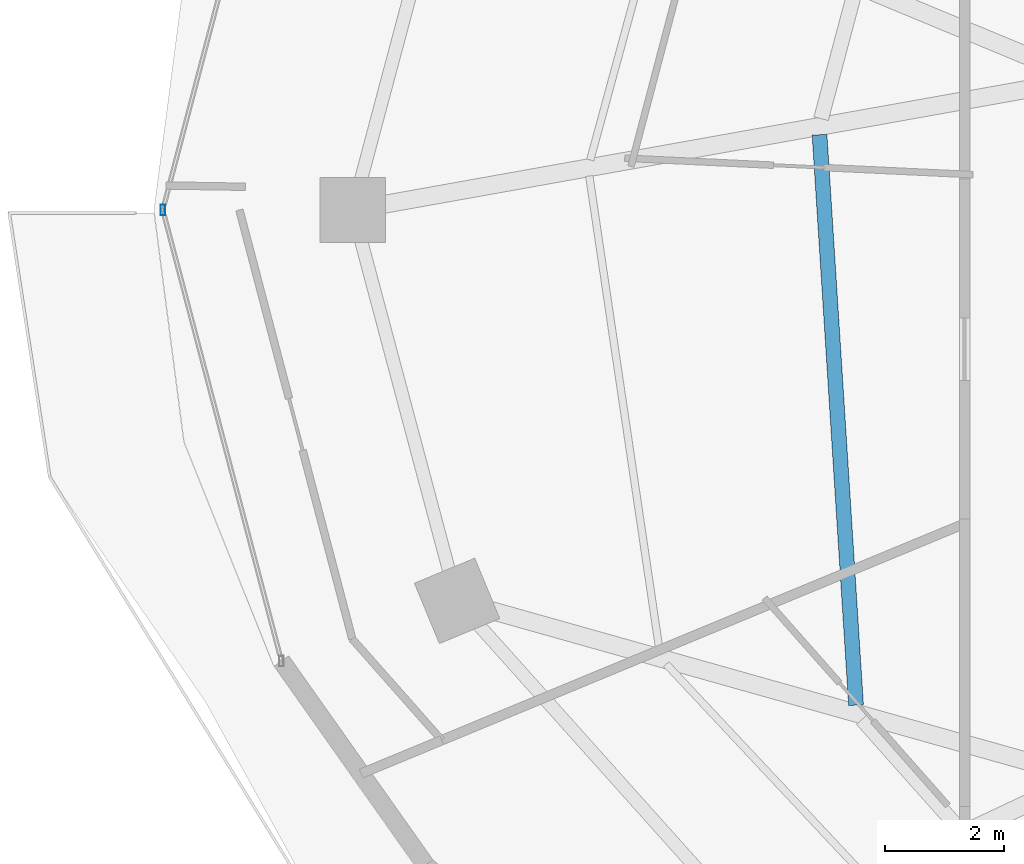
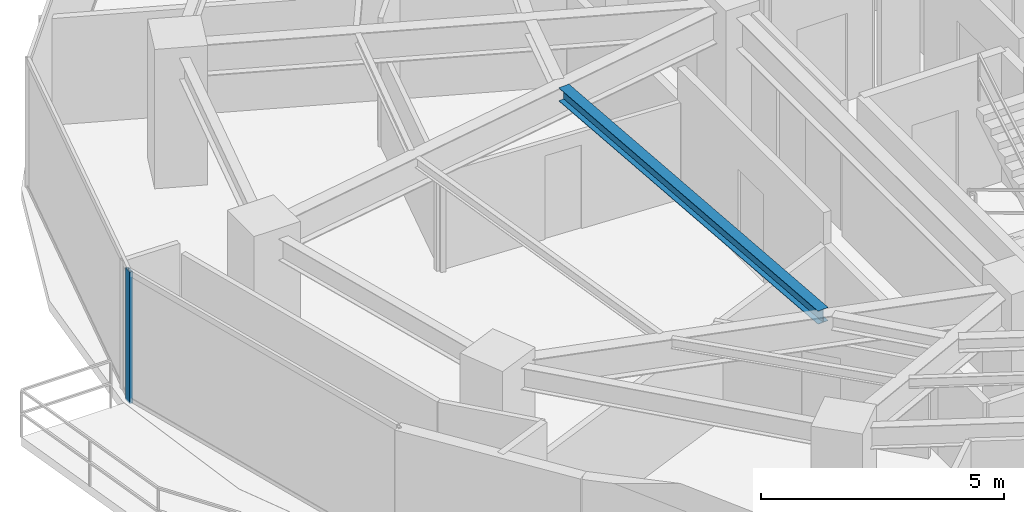
# One storey, part 7 of 31: 1 beam, 1 member, 1 element without a shape of its own.
"""IFC4 building model written with IfcOpenShell, lengths in metres."""

from ifc_helpers import new_model, si_unit, direction, frame, origin, origin_2d, place, context, subcontext, project, spatial, hollow_rectangle, i_section, extrude, material, material_profile, profile_set, type_object, element, aggregate, save


model = new_model("IFC4")

# Units and contexts
model_context = context("Model", 3, precision=1e-05, world=origin(), true_north=direction((0.0, 1.0)))
body_context = subcontext(model_context, "Body", "Model", "MODEL_VIEW")
ifc_project = project(units=[si_unit("LENGTHUNIT", "METRE"), si_unit("AREAUNIT", "SQUARE_METRE"), si_unit("VOLUMEUNIT", "CUBIC_METRE"), si_unit("PLANEANGLEUNIT", "RADIAN"), si_unit("MASSUNIT", "GRAM", prefix="KILO")], contexts=[model_context])

# Site, building, storey
site_placement = place(None, origin())
site = spatial("IfcSite", under=ifc_project, at=site_placement, CompositionType="ELEMENT")
building_placement = place(site_placement, origin())
building = spatial("IfcBuilding", under=site, at=building_placement, Name="Vorneva Point Tower", CompositionType="ELEMENT")
storey_placement = place(building_placement, frame((0.0, 0.0, 103.300048828125)))
storey = spatial("IfcBuildingStorey", under=building, at=storey_placement, Name="L27", CompositionType="ELEMENT", Elevation=103.300048828125)

# Beam
ifc_material_1 = material(Name="Steel S355", Category="steel")
ifc_material_profile_1 = material_profile(ifc_material_1, i_section(OverallWidth=0.2490234375, OverallDepth=0.333984375, WebThickness=0.008056640625, FlangeThickness=0.010986328125, at=origin_2d()), Name="35Sh1")
ifc_profile_set_1 = profile_set([ifc_material_profile_1], Name="Steel S355")
beam_type = type_object("IfcBeamType", Name="BM-SEC-35Sh1", PredefinedType="BEAM", material=ifc_profile_set_1)
beam_placement = place(storey_placement, frame((22.807373046875, 27.26611328125, 3.072998046875), z_axis=(0.063856594897, -0.997959084977, 0.0), x_axis=(0.997959084977, 0.063856594897, 0.0)))
element("IfcBeam", 1, at=beam_placement, inside=storey, type_object=beam_type, Name="L27 Secondary Floor Beam 2.09", PredefinedType="BEAM", context=body_context, shape_type="SweptSolid", body=[
    extrude(i_section(OverallWidth=0.2490234375, OverallDepth=0.333984375, WebThickness=0.008056640625, FlangeThickness=0.010986328125, at=origin_2d()), origin(), (0.0, 0.0, 1.0), 9.623046875),
])

# Curtain wall, member
ifc_material_2 = material(Name="Pale anodised aluminium", Category="aluminium")
curtain_wall_type = type_object("IfcCurtainWallType", Name="CW-HTL-SYS", PredefinedType="NOTDEFINED", material=ifc_material_2)
curtain_wall_placement = place(storey_placement, origin())
curtain_wall = element("IfcCurtainWall", 2, at=curtain_wall_placement, inside=storey, type_object=curtain_wall_type, Name="L27 Unitised Curtain Wall CW-L27-R03", PredefinedType="NOTDEFINED")
ifc_material_profile_2 = material_profile(ifc_material_2, hollow_rectangle(XDim=0.074951171875, YDim=0.179931640625, WallThickness=0.00390625, at=origin_2d()), Name="AL-MUL 180x75x4")
ifc_profile_set_2 = profile_set([ifc_material_profile_2], Name="Pale anodised aluminium")
member_type = type_object("IfcMemberType", Name="CW-MUL-180", PredefinedType="MULLION", material=ifc_profile_set_2)
member_placement = place(storey_placement, frame((11.75, 26.0, -0.0400390625), z_axis=(0.0, 0.0, 1.0), x_axis=(1.0, 0.0, 0.0)))
member = element("IfcMember", 3, at=member_placement, type_object=member_type, Name="CW-L27-R03 Mullion 03", PredefinedType="MULLION", context=body_context, shape_type="SweptSolid", body=[
    extrude(hollow_rectangle(XDim=0.074951171875, YDim=0.179931640625, WallThickness=0.00390625, at=origin_2d()), origin(), (0.0, 0.0, 1.0), 3.31005859375),
])
aggregate(curtain_wall, [member])

save(model, "model.ifc")
